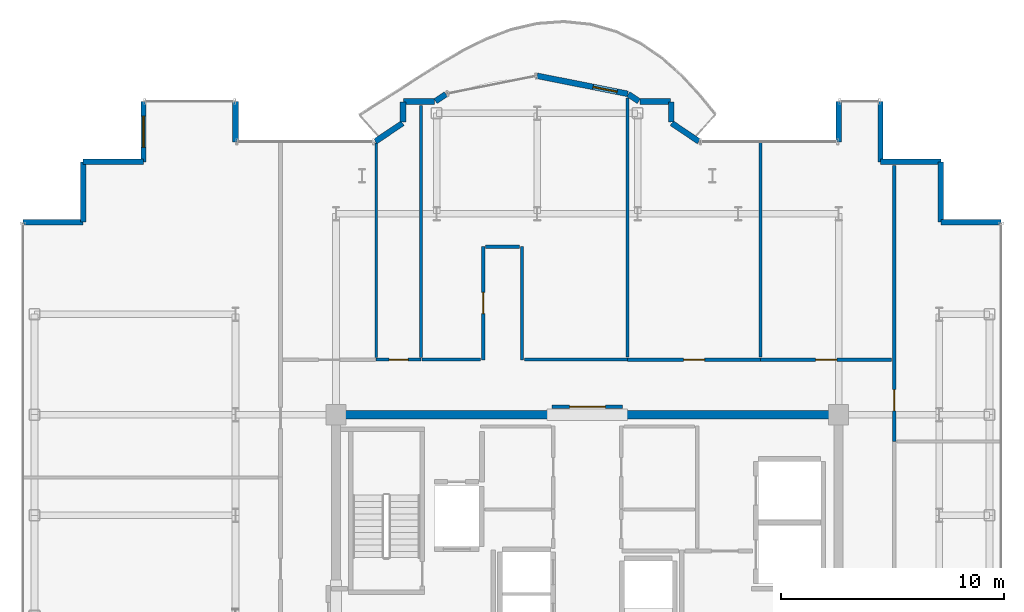
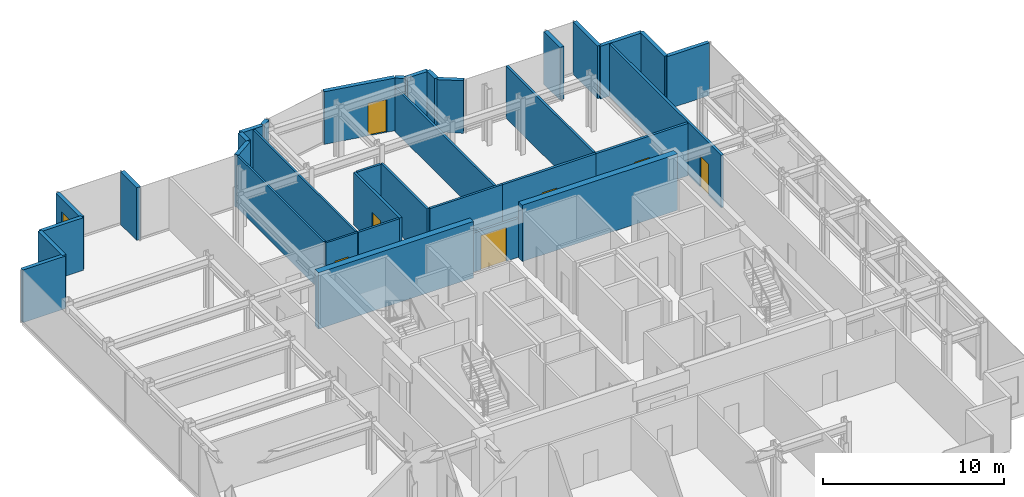
# One storey, part 16 of 18: 35 walls, 7 doors, 1 window, 8 openings.
"""IFC4 building model written with IfcOpenShell, lengths in metres."""

from ifc_helpers import new_model, si_unit, direction, frame, frame_2d, origin, place, context, subcontext, project, spatial, rectangle, extrude, source, transform, mapped, material, layer, layer_set, type_object, element, fill, save


model = new_model("IFC4")

# Units and contexts
model_context = context("Model", 3, precision=1e-05, world=origin(), true_north=direction((0.0, 1.0)))
body_context = subcontext(model_context, "Body", "Model", "MODEL_VIEW")
ifc_project = project(units=[si_unit("LENGTHUNIT", "METRE"), si_unit("AREAUNIT", "SQUARE_METRE"), si_unit("VOLUMEUNIT", "CUBIC_METRE"), si_unit("PLANEANGLEUNIT", "RADIAN"), si_unit("MASSUNIT", "GRAM", prefix="KILO")], contexts=[model_context])

# Site, building, storey
site_placement = place(None, origin())
site = spatial("IfcSite", under=ifc_project, at=site_placement, CompositionType="ELEMENT")
building_placement = place(site_placement, origin())
building = spatial("IfcBuilding", under=site, at=building_placement, Name="Nefas-Gora Pilgrimage Tower", CompositionType="ELEMENT")
storey_placement = place(building_placement, frame((0.0, 0.0, 330.0)))
storey = spatial("IfcBuildingStorey", under=building, at=storey_placement, Name="L83", CompositionType="ELEMENT", Elevation=330.0)

# Walls
ifc_material_1 = material(Name="Concrete C50/60", Category="concrete")
ifc_layer_1 = layer(ifc_material_1, 0.39990234375)
ifc_layer_set_1 = layer_set([ifc_layer_1], Name="Concrete C50/60")
wall_type_1 = type_object("IfcWallType", Name="SW-CORE-400", PredefinedType="SHEAR", material=ifc_layer_set_1)
shared_shape_1 = source(origin(), body_context, "Body", "SweptSolid", [
    extrude(rectangle(XDim=9.89990234375, YDim=0.39990234375, at=frame_2d((4.949951171875, 0.0))), origin(), (0.0, 0.0, 1.0), 3.800048828125),
])
for number, where, z_axis, x_axis, name in (
    (1, (-11.449951171875, 9.0, 0.0), (0.0, 0.0, 1.0), (1.0, 0.0, 0.0), "L83 Core Shear Wall N-West"),
    (2, (1.550048828125, 9.0, 0.0), (0.0, 0.0, 1.0), (1.0, 0.0, 0.0), "L83 Core Shear Wall N-East"),
):
    element("IfcWall", number, at=place(storey_placement, frame(where, z_axis=z_axis, x_axis=x_axis)), inside=storey, type_object=wall_type_1, Name=name, PredefinedType="SHEAR", context=body_context, shape_type="MappedRepresentation", body=[
        mapped(shared_shape_1, transform((0.0, 0.0, 0.0), x_axis=(1.0, 0.0, 0.0), y_axis=(0.0, 1.0, 0.0), z_axis=(0.0, 0.0, 1.0), scale=1.0)),
    ])
ifc_material_2 = material(Name="Precast concrete C40/50", Category="concrete")
ifc_layer_2 = layer(ifc_material_2, 0.260009765625)
ifc_layer_set_2 = layer_set([ifc_layer_2], Name="Precast concrete C40/50")
wall_type_2 = type_object("IfcWallType", Name="EW-PORTAL-260", PredefinedType="SOLIDWALL", material=ifc_layer_set_2)
shared_shape_2 = source(origin(), body_context, "Body", "SweptSolid", [
    extrude(rectangle(XDim=1.800048828125, YDim=0.260009765625, at=frame_2d((0.89990234375, 0.0))), origin(), (0.0, 0.0, 1.0), 3.550048828125),
])
for number, where, z_axis, x_axis, name in (
    (3, (11.25, 23.02001953125, 0.0), (0.0, 0.0, 1.0), (0.0, -1.0, 0.0), "L83 Lobe Shoulder Precast Spandrel Pier 6"),
    (4, (-15.75, 21.219970703125, 0.0), (0.0, 0.0, 1.0), (0.0, 1.0, 0.0), "L83 Lobe Shoulder Precast Spandrel Pier 16"),
):
    element("IfcWall", number, at=place(storey_placement, frame(where, z_axis=z_axis, x_axis=x_axis)), inside=storey, type_object=wall_type_2, Name=name, PredefinedType="SOLIDWALL", context=body_context, shape_type="MappedRepresentation", body=[
        mapped(shared_shape_2, transform((0.0, 0.0, 0.0), x_axis=(1.0, 0.0, 0.0), y_axis=(0.0, 1.0, 0.0), z_axis=(0.0, 0.0, 1.0), scale=1.0)),
    ])
ifc_material_3 = material(Name="Precast concrete C45/55", Category="concrete")
ifc_layer_3 = layer(ifc_material_3, 0.239990234375)
ifc_layer_set_3 = layer_set([ifc_layer_3], Name="Precast concrete C45/55")
wall_type_3 = type_object("IfcWallType", Name="EW-SERR-240", PredefinedType="SHEAR", material=ifc_layer_set_3)
shared_shape_3 = source(origin(), body_context, "Body", "SweptSolid", [
    extrude(rectangle(XDim=2.699951171875, YDim=0.239990234375, at=frame_2d((1.35009765625, 0.0))), origin(), (0.0, 0.0, 1.0), 3.550048828125),
])
for number, where, z_axis, x_axis, name in (
    (5, (18.52001953125, 17.6201171875, 0.0), (0.0, 0.0, 1.0), (-1.0, 0.0, 0.0), "L83 Serrated Corner Shear Pier Wall 2"),
    (6, (15.820068359375, 17.6201171875, 0.0), (0.0, 0.0, 1.0), (0.0, 1.0, 0.0), "L83 Serrated Corner Shear Pier Wall 3"),
    (7, (15.820068359375, 20.320068359375, 0.0), (0.0, 0.0, 1.0), (-1.0, 0.0, 0.0), "L83 Serrated Corner Shear Pier Wall 4"),
    (8, (13.1201171875, 20.320068359375, 0.0), (0.0, 0.0, 1.0), (0.0, 1.0, 0.0), "L83 Serrated Corner Shear Pier Wall 5"),
):
    element("IfcWall", number, at=place(storey_placement, frame(where, z_axis=z_axis, x_axis=x_axis)), inside=storey, type_object=wall_type_3, Name=name, PredefinedType="SHEAR", context=body_context, shape_type="MappedRepresentation", body=[
        mapped(shared_shape_3, transform((0.0, 0.0, 0.0), x_axis=(1.0, 0.0, 0.0), y_axis=(0.0, 1.0, 0.0), z_axis=(0.0, 0.0, 1.0), scale=1.0)),
    ])

# Wall, opening, window
wall_1_placement = place(storey_placement, frame((-19.8701171875, 23.02001953125, 0.0), z_axis=(0.0, 0.0, 1.0), x_axis=(0.0, -1.0, 0.0)))
wall_1 = element("IfcWall", 9, at=wall_1_placement, inside=storey, type_object=wall_type_3, Name="L83 Serrated Corner Shear Pier Wall 17", PredefinedType="SHEAR", context=body_context, shape_type="MappedRepresentation", body=[
    mapped(shared_shape_3, transform((0.0, 0.0, 0.0), x_axis=(1.0, 0.0, 0.0), y_axis=(0.0, 1.0, 0.0), z_axis=(0.0, 0.0, 1.0), scale=1.0)),
])
opening_1_placement = place(wall_1_placement, frame((0.64990234375, 0.0, 0.85009765625)))
opening_1 = element("IfcOpeningElement", 10, at=opening_1_placement, cuts=wall_1, Name="Opening W-V2", PredefinedType="OPENING", context=body_context, shape_type="SweptSolid", body=[
    extrude(rectangle(XDim=1.39990234375, YDim=1.800048828125, at=frame_2d((0.699951171875, 0.89990234375))), frame((0.0, 0.1298828125, 0.0), z_axis=(0.0, -1.0, 0.0), x_axis=(1.0, 0.0, 0.0)), (0.0, 0.0, 1.0), 0.260009765625),
])
ifc_material_4 = material(Name="Dark ceramic-fritted operable aluminium-glass window", Category="aluminium")
window_type = type_object("IfcWindowType", Name="WIN-VENT-1400x1800", PartitioningType="SINGLE_PANEL", PredefinedType="WINDOW", material=ifc_material_4)
shared_shape_4 = source(origin(), body_context, "Body", "SweptSolid", [
    extrude(rectangle(XDim=1.39990234375, YDim=1.800048828125, at=frame_2d((0.699951171875, 0.89990234375))), frame((0.0, 0.030029296875, 0.0), z_axis=(0.0, -1.0, 0.0), x_axis=(1.0, 0.0, 0.0)), (0.0, 0.0, 1.0), 0.06005859375),
])
window_placement = place(opening_1_placement, origin())
window = element("IfcWindow", 11, at=window_placement, inside=storey, type_object=window_type, Name="L83 Operable Parallel-Outswing Window 17", OverallHeight=1.800048828125, OverallWidth=1.39990234375, PartitioningType="SINGLE_PANEL", PredefinedType="WINDOW", context=body_context, shape_type="MappedRepresentation", body=[
    mapped(shared_shape_4, transform((0.0, 0.0, 0.0), x_axis=(1.0, 0.0, 0.0), y_axis=(0.0, 1.0, 0.0), z_axis=(0.0, 0.0, 1.0), scale=1.0)),
])
fill(opening_1, window)

# Walls
for number, where, z_axis, x_axis, name in (
    (12, (-19.8701171875, 20.320068359375, 0.0), (0.0, 0.0, 1.0), (-1.0, 0.0, 0.0), "L83 Serrated Corner Shear Pier Wall 18"),
    (13, (-22.570068359375, 20.320068359375, 0.0), (0.0, 0.0, 1.0), (0.0, -1.0, 0.0), "L83 Serrated Corner Shear Pier Wall 19"),
    (14, (-22.570068359375, 17.6201171875, 0.0), (0.0, 0.0, 1.0), (-1.0, 0.0, 0.0), "L83 Serrated Corner Shear Pier Wall 20"),
):
    element("IfcWall", number, at=place(storey_placement, frame(where, z_axis=z_axis, x_axis=x_axis)), inside=storey, type_object=wall_type_3, Name=name, PredefinedType="SHEAR", context=body_context, shape_type="MappedRepresentation", body=[
        mapped(shared_shape_3, transform((0.0, 0.0, 0.0), x_axis=(1.0, 0.0, 0.0), y_axis=(0.0, 1.0, 0.0), z_axis=(0.0, 0.0, 1.0), scale=1.0)),
    ])
shared_shape_5 = source(origin(), body_context, "Body", "SweptSolid", [
    extrude(rectangle(XDim=1.468994140625, YDim=0.260009765625, at=frame_2d((0.734375, 0.0))), origin(), (0.0, 0.0, 1.0), 3.550048828125),
])
for number, where, z_axis, x_axis, name in (
    (15, (4.99462890625, 21.235595703125, 0.0), (0.0, 0.0, 1.0), (-0.831461760506, 0.555581983884, 0.0), "L83 Lobe Shoulder Precast Spandrel Pier 7"),
    (16, (-8.273193359375, 22.0517578125, 0.0), (0.0, 0.0, 1.0), (-0.831461760506, -0.555581983884, 0.0), "L83 Lobe Shoulder Precast Spandrel Pier 15"),
):
    element("IfcWall", number, at=place(storey_placement, frame(where, z_axis=z_axis, x_axis=x_axis)), inside=storey, type_object=wall_type_2, Name=name, PredefinedType="SOLIDWALL", context=body_context, shape_type="MappedRepresentation", body=[
        mapped(shared_shape_5, transform((0.0, 0.0, 0.0), x_axis=(1.0, 0.0, 0.0), y_axis=(0.0, 1.0, 0.0), z_axis=(0.0, 0.0, 1.0), scale=1.0)),
    ])
shared_shape_6 = source(origin(), body_context, "Body", "SweptSolid", [
    extrude(rectangle(XDim=0.896728515625, YDim=0.260009765625, at=frame_2d((0.4482421875, 0.0))), origin(), (0.0, 0.0, 1.0), 3.550048828125),
])
for number, where, z_axis, x_axis, name in (
    (17, (3.75, 22.09521484375, 0.0), (0.0, 0.0, 1.0), (0.0, 1.0, 0.0), "L83 Lobe Shoulder Precast Spandrel Pier 8"),
    (18, (-8.25, 22.991943359375, 0.0), (0.0, 0.0, 1.0), (0.0, -1.0, 0.0), "L83 Lobe Shoulder Precast Spandrel Pier 14"),
):
    element("IfcWall", number, at=place(storey_placement, frame(where, z_axis=z_axis, x_axis=x_axis)), inside=storey, type_object=wall_type_2, Name=name, PredefinedType="SOLIDWALL", context=body_context, shape_type="MappedRepresentation", body=[
        mapped(shared_shape_6, transform((0.0, 0.0, 0.0), x_axis=(1.0, 0.0, 0.0), y_axis=(0.0, 1.0, 0.0), z_axis=(0.0, 0.0, 1.0), scale=1.0)),
    ])
shared_shape_7 = source(origin(), body_context, "Body", "SweptSolid", [
    extrude(rectangle(XDim=1.369873046875, YDim=0.260009765625, at=frame_2d((0.68505859375, 0.0))), origin(), (0.0, 0.0, 1.0), 3.550048828125),
])
for number, where, z_axis, x_axis, name in (
    (19, (3.721923828125, 23.02001953125, 0.0), (0.0, 0.0, 1.0), (-1.0, 0.0, 0.0), "L83 Lobe Shoulder Precast Spandrel Pier 9"),
    (20, (-6.85205078125, 23.02001953125, 0.0), (0.0, 0.0, 1.0), (-1.0, 0.0, 0.0), "L83 Lobe Shoulder Precast Spandrel Pier 13"),
):
    element("IfcWall", number, at=place(storey_placement, frame(where, z_axis=z_axis, x_axis=x_axis)), inside=storey, type_object=wall_type_2, Name=name, PredefinedType="SOLIDWALL", context=body_context, shape_type="MappedRepresentation", body=[
        mapped(shared_shape_7, transform((0.0, 0.0, 0.0), x_axis=(1.0, 0.0, 0.0), y_axis=(0.0, 1.0, 0.0), z_axis=(0.0, 0.0, 1.0), scale=1.0)),
    ])
shared_shape_8 = source(origin(), body_context, "Body", "SweptSolid", [
    extrude(rectangle(XDim=0.5654296875, YDim=0.260009765625, at=frame_2d((0.28271484375, 0.0))), origin(), (0.0, 0.0, 1.0), 3.550048828125),
])
for number, where, z_axis, x_axis, name in (
    (21, (2.30078125, 23.03564453125, 0.0), (0.0, 0.0, 1.0), (-0.831651492666, 0.555297933317, 0.0), "L83 Lobe Shoulder Precast Spandrel Pier 10"),
    (22, (-6.33056640625, 23.349609375, 0.0), (0.0, 0.0, 1.0), (-0.831651492666, -0.555297933317, 0.0), "L83 Lobe Shoulder Precast Spandrel Pier 12"),
):
    element("IfcWall", number, at=place(storey_placement, frame(where, z_axis=z_axis, x_axis=x_axis)), inside=storey, type_object=wall_type_2, Name=name, PredefinedType="SOLIDWALL", context=body_context, shape_type="MappedRepresentation", body=[
        mapped(shared_shape_8, transform((0.0, 0.0, 0.0), x_axis=(1.0, 0.0, 0.0), y_axis=(0.0, 1.0, 0.0), z_axis=(0.0, 0.0, 1.0), scale=1.0)),
    ])

# Wall, opening, door
shared_shape_9 = source(origin(), body_context, "Body", "SweptSolid", [
    extrude(rectangle(XDim=4.136962890625, YDim=0.260009765625, at=frame_2d((2.068359375, 0.0))), origin(), (0.0, 0.0, 1.0), 3.550048828125),
])
wall_2_placement = place(storey_placement, frame((1.807373046875, 23.365234375, 0.0), z_axis=(0.0, 0.0, 1.0), x_axis=(-0.980782170794, 0.195105954428, 0.0)))
wall_2 = element("IfcWall", 23, at=wall_2_placement, inside=storey, type_object=wall_type_2, Name="L83 Insulated Terrace Portal Wall 11", PredefinedType="SOLIDWALL", context=body_context, shape_type="MappedRepresentation", body=[
    mapped(shared_shape_9, transform((0.0, 0.0, 0.0), x_axis=(1.0, 0.0, 0.0), y_axis=(0.0, 1.0, 0.0), z_axis=(0.0, 0.0, 1.0), scale=1.0)),
])
opening_2_placement = place(wall_2_placement, frame((0.48779296875, 0.0, 0.0)))
opening_2 = element("IfcOpeningElement", 24, at=opening_2_placement, cuts=wall_2, Name="Opening ED-B1", PredefinedType="OPENING", context=body_context, shape_type="SweptSolid", body=[
    extrude(rectangle(XDim=1.10009765625, YDim=2.199951171875, at=frame_2d((0.550048828125, 1.10009765625))), frame((0.0, 0.139892578125, 0.0), z_axis=(0.0, -1.0, 0.0), x_axis=(1.0, 0.0, 0.0)), (0.0, 0.0, 1.0), 0.280029296875),
])
ifc_material_5 = material(Name="Thermally broken glazed aluminium balcony door", Category="aluminium")
door_type_1 = type_object("IfcDoorType", Name="DR-EXT-BAL-1100", OperationType="NOTDEFINED", PredefinedType="DOOR", material=ifc_material_5)
shared_shape_10 = source(origin(), body_context, "Body", "SweptSolid", [
    extrude(rectangle(XDim=1.10009765625, YDim=2.199951171875, at=frame_2d((0.550048828125, 1.10009765625))), frame((0.0, 0.02490234375, 0.0), z_axis=(0.0, -1.0, 0.0), x_axis=(1.0, 0.0, 0.0)), (0.0, 0.0, 1.0), 0.050048828125),
])
door_1_placement = place(opening_2_placement, origin())
door_1 = element("IfcDoor", 25, at=door_1_placement, inside=storey, type_object=door_type_1, Name="L83 Exterior Door (L83 N Lobe Wave Balcony)", OperationType="SINGLE_SWING_RIGHT", OverallHeight=2.199951171875, OverallWidth=1.10009765625, PredefinedType="DOOR", context=body_context, shape_type="MappedRepresentation", body=[
    mapped(shared_shape_10, transform((0.0, 0.0, 0.0), x_axis=(1.0, 0.0, 0.0), y_axis=(0.0, 1.0, 0.0), z_axis=(0.0, 0.0, 1.0), scale=1.0)),
])
fill(opening_2, door_1)

ifc_material_6 = material(Name="Moisture-resistant fire-rated gypsum partition")
ifc_layer_4 = layer(ifc_material_6, 0.1201171875)
ifc_layer_set_4 = layer_set([ifc_layer_4], Name="Moisture-resistant fire-rated gypsum partition")
wall_type_4 = type_object("IfcWallType", Name="IW-WET-120", PredefinedType="PLUMBINGWALL", material=ifc_layer_set_4)
shared_shape_11 = source(origin(), body_context, "Body", "SweptSolid", [
    extrude(rectangle(XDim=2.02001953125, YDim=0.1201171875, at=frame_2d((1.010009765625, 0.0))), origin(), (0.0, 0.0, 1.0), 3.534912109375),
])
wall_3_placement = place(storey_placement, frame((-9.4599609375, 11.469970703125, 0.0), z_axis=(0.0, 0.0, 1.0), x_axis=(1.0, 0.0, 0.0)))
wall_3 = element("IfcWall", 26, at=wall_3_placement, inside=storey, type_object=wall_type_4, Name="L83 Accessible Unisex WC Partition Wall 36", PredefinedType="PLUMBINGWALL", context=body_context, shape_type="MappedRepresentation", body=[
    mapped(shared_shape_11, transform((0.0, 0.0, 0.0), x_axis=(1.0, 0.0, 0.0), y_axis=(0.0, 1.0, 0.0), z_axis=(0.0, 0.0, 1.0), scale=1.0)),
])
opening_3_placement = place(wall_3_placement, frame((0.5849609375, 0.0, 0.0)))
opening_3 = element("IfcOpeningElement", 27, at=opening_3_placement, cuts=wall_3, Name="Opening ID-BT1", PredefinedType="OPENING", context=body_context, shape_type="SweptSolid", body=[
    extrude(rectangle(XDim=0.85009765625, YDim=2.10009765625, at=frame_2d((0.425048828125, 1.050048828125))), frame((0.0, 0.070068359375, 0.0), z_axis=(0.0, -1.0, 0.0), x_axis=(1.0, 0.0, 0.0)), (0.0, 0.0, 1.0), 0.14013671875),
])
ifc_material_7 = material(Name="Moisture-resistant fire-rated timber door", Category="wood")
door_type_2 = type_object("IfcDoorType", Name="DR-INT-BATH-850", OperationType="NOTDEFINED", PredefinedType="DOOR", material=ifc_material_7)
shared_shape_12 = source(origin(), body_context, "Body", "SweptSolid", [
    extrude(rectangle(XDim=0.85009765625, YDim=2.10009765625, at=frame_2d((0.425048828125, 1.050048828125))), frame((0.0, 0.02490234375, 0.0), z_axis=(0.0, -1.0, 0.0), x_axis=(1.0, 0.0, 0.0)), (0.0, 0.0, 1.0), 0.050048828125),
])
door_2_placement = place(opening_3_placement, origin())
door_2 = element("IfcDoor", 28, at=door_2_placement, inside=storey, type_object=door_type_2, Name="L83 Accessible Unisex WC Door 15", OperationType="SINGLE_SWING_RIGHT", OverallHeight=2.10009765625, OverallWidth=0.85009765625, PredefinedType="DOOR", context=body_context, shape_type="MappedRepresentation", body=[
    mapped(shared_shape_12, transform((0.0, 0.0, 0.0), x_axis=(1.0, 0.0, 0.0), y_axis=(0.0, 1.0, 0.0), z_axis=(0.0, 0.0, 1.0), scale=1.0)),
])
fill(opening_3, door_2)

# Walls
shared_shape_13 = source(origin(), body_context, "Body", "SweptSolid", [
    extrude(rectangle(XDim=11.280029296875, YDim=0.1201171875, at=frame_2d((5.64013671875, 0.0))), origin(), (0.0, 0.0, 1.0), 3.534912109375),
])
wall_4_placement = place(storey_placement, frame((-7.449951171875, 11.570068359375, 0.0), z_axis=(0.0, 0.0, 1.0), x_axis=(0.0, 1.0, 0.0)))
element("IfcWall", 29, at=wall_4_placement, inside=storey, type_object=wall_type_4, Name="L83 Accessible Unisex WC Partition Wall 37", PredefinedType="PLUMBINGWALL", context=body_context, shape_type="MappedRepresentation", body=[
    mapped(shared_shape_13, transform((0.0, 0.0, 0.0), x_axis=(1.0, 0.0, 0.0), y_axis=(0.0, 1.0, 0.0), z_axis=(0.0, 0.0, 1.0), scale=1.0)),
])
shared_shape_14 = source(origin(), body_context, "Body", "SweptSolid", [
    extrude(rectangle(XDim=9.586669921875, YDim=0.1201171875, at=frame_2d((4.79345703125, 0.0))), origin(), (0.0, 0.0, 1.0), 3.534912109375),
])
wall_5_placement = place(storey_placement, frame((-9.449951171875, 11.570068359375, 0.0), z_axis=(0.0, 0.0, 1.0), x_axis=(0.0, 1.0, 0.0)))
element("IfcWall", 30, at=wall_5_placement, inside=storey, type_object=wall_type_4, Name="L83 Accessible Unisex WC Partition Wall 38", PredefinedType="PLUMBINGWALL", context=body_context, shape_type="MappedRepresentation", body=[
    mapped(shared_shape_14, transform((0.0, 0.0, 0.0), x_axis=(1.0, 0.0, 0.0), y_axis=(0.0, 1.0, 0.0), z_axis=(0.0, 0.0, 1.0), scale=1.0)),
])
ifc_material_8 = material(Name="Gypsum twin-stud partition")
ifc_layer_5 = layer(ifc_material_8, 0.139892578125)
ifc_layer_set_5 = layer_set([ifc_layer_5], Name="Gypsum twin-stud partition")
wall_type_5 = type_object("IfcWallType", Name="IW-UNIT-140", PredefinedType="PARTITIONING", material=ifc_layer_set_5)
shared_shape_15 = source(origin(), body_context, "Body", "SweptSolid", [
    extrude(rectangle(XDim=9.64990234375, YDim=0.139892578125, at=frame_2d((4.824951171875, 0.0))), origin(), (0.0, 0.0, 1.0), 3.534912109375),
])
wall_6_placement = place(storey_placement, frame((7.75, 11.590087890625, 0.0), z_axis=(0.0, 0.0, 1.0), x_axis=(0.0, 1.0, 0.0)))
element("IfcWall", 31, at=wall_6_placement, inside=storey, type_object=wall_type_5, Name="L83 Pilgrim Contemplative Lounge Partition Wall 59", PredefinedType="PARTITIONING", context=body_context, shape_type="MappedRepresentation", body=[
    mapped(shared_shape_15, transform((0.0, 0.0, 0.0), x_axis=(1.0, 0.0, 0.0), y_axis=(0.0, 1.0, 0.0), z_axis=(0.0, 0.0, 1.0), scale=1.0)),
])
shared_shape_16 = source(origin(), body_context, "Body", "SweptSolid", [
    extrude(rectangle(XDim=1.510009765625, YDim=0.139892578125, at=frame_2d((0.7548828125, 0.0))), origin(), (0.0, 0.0, 1.0), 3.534912109375),
])
wall_7_placement = place(storey_placement, frame((-4.550048828125, 16.52001953125, 0.0), z_axis=(0.0, 0.0, 1.0), x_axis=(1.0, 0.0, 0.0)))
element("IfcWall", 32, at=wall_7_placement, inside=storey, type_object=wall_type_5, Name="L83 Pilgrim Refectory Lounge Partition Wall 56", PredefinedType="PARTITIONING", context=body_context, shape_type="MappedRepresentation", body=[
    mapped(shared_shape_16, transform((0.0, 0.0, 0.0), x_axis=(1.0, 0.0, 0.0), y_axis=(0.0, 1.0, 0.0), z_axis=(0.0, 0.0, 1.0), scale=1.0)),
])

# Wall, opening, door
ifc_material_9 = material(Name="Gypsum acoustic stud partition")
ifc_layer_6 = layer(ifc_material_9, 0.159912109375)
ifc_layer_set_6 = layer_set([ifc_layer_6], Name="Gypsum acoustic stud partition")
wall_type_6 = type_object("IfcWallType", Name="IW-CORR-160", PredefinedType="PARTITIONING", material=ifc_layer_set_6)
shared_shape_17 = source(origin(), body_context, "Body", "SweptSolid", [
    extrude(rectangle(XDim=3.16015625, YDim=0.159912109375, at=frame_2d((1.580078125, 0.0))), origin(), (0.0, 0.0, 1.0), 2.625),
])
wall_8_placement = place(storey_placement, frame((-1.580078125, 9.35009765625, 0.0), z_axis=(0.0, 0.0, 1.0), x_axis=(1.0, 0.0, 0.0)))
wall_8 = element("IfcWall", 33, at=wall_8_placement, inside=storey, type_object=wall_type_6, Name="L83 Central Lift Lobby North Portal Wall 16", PredefinedType="PARTITIONING", context=body_context, shape_type="MappedRepresentation", body=[
    mapped(shared_shape_17, transform((0.0, 0.0, 0.0), x_axis=(1.0, 0.0, 0.0), y_axis=(0.0, 1.0, 0.0), z_axis=(0.0, 0.0, 1.0), scale=1.0)),
])
opening_4_placement = place(wall_8_placement, frame((0.780029296875, 0.0, 0.0)))
opening_4 = element("IfcOpeningElement", 34, at=opening_4_placement, cuts=wall_8, Name="Opening ID-HL1", PredefinedType="OPENING", context=body_context, shape_type="SweptSolid", body=[
    extrude(rectangle(XDim=1.60009765625, YDim=2.300048828125, at=frame_2d((0.800048828125, 1.14990234375))), frame((0.0, 0.08984375, 0.0), z_axis=(0.0, -1.0, 0.0), x_axis=(1.0, 0.0, 0.0)), (0.0, 0.0, 1.0), 0.179931640625),
])
ifc_material_10 = material(Name="Double acoustic timber assembly hall door", Category="wood")
door_type_3 = type_object("IfcDoorType", Name="DR-INT-HALL-1600", OperationType="DOUBLE_DOOR_SINGLE_SWING", PredefinedType="DOOR", material=ifc_material_10)
shared_shape_18 = source(origin(), body_context, "Body", "SweptSolid", [
    extrude(rectangle(XDim=1.60009765625, YDim=2.300048828125, at=frame_2d((0.800048828125, 1.14990234375))), frame((0.0, 0.02490234375, 0.0), z_axis=(0.0, -1.0, 0.0), x_axis=(1.0, 0.0, 0.0)), (0.0, 0.0, 1.0), 0.050048828125),
])
door_3_placement = place(opening_4_placement, origin())
door_3 = element("IfcDoor", 35, at=door_3_placement, inside=storey, type_object=door_type_3, Name="L83 Central Lift Lobby North Portal Door 6", OperationType="DOUBLE_DOOR_SINGLE_SWING", OverallHeight=2.300048828125, OverallWidth=1.60009765625, PredefinedType="DOOR", context=body_context, shape_type="MappedRepresentation", body=[
    mapped(shared_shape_18, transform((0.0, 0.0, 0.0), x_axis=(1.0, 0.0, 0.0), y_axis=(0.0, 1.0, 0.0), z_axis=(0.0, 0.0, 1.0), scale=1.0)),
])
fill(opening_4, door_3)

shared_shape_19 = source(origin(), body_context, "Body", "SweptSolid", [
    extrude(rectangle(XDim=5.080078125, YDim=0.159912109375, at=frame_2d((2.5400390625, 0.0))), origin(), (0.0, 0.0, 1.0), 3.534912109375),
])
wall_9_placement = place(storey_placement, frame((-4.669921875, 11.4599609375, 0.0), z_axis=(0.0, 0.0, 1.0), x_axis=(0.0, 1.0, 0.0)))
wall_9 = element("IfcWall", 36, at=wall_9_placement, inside=storey, type_object=wall_type_6, Name="L83 Pilgrim Refectory Lounge Partition Wall 52", PredefinedType="PARTITIONING", context=body_context, shape_type="MappedRepresentation", body=[
    mapped(shared_shape_19, transform((0.0, 0.0, 0.0), x_axis=(1.0, 0.0, 0.0), y_axis=(0.0, 1.0, 0.0), z_axis=(0.0, 0.0, 1.0), scale=1.0)),
])
opening_5_placement = place(wall_9_placement, frame((2.06494140625, 0.0, 0.0)))
opening_5 = element("IfcOpeningElement", 37, at=opening_5_placement, cuts=wall_9, Name="Opening ID-GR1", PredefinedType="OPENING", context=body_context, shape_type="SweptSolid", body=[
    extrude(rectangle(XDim=0.949951171875, YDim=2.10009765625, at=frame_2d((0.47509765625, 1.050048828125))), frame((0.0, 0.08984375, 0.0), z_axis=(0.0, -1.0, 0.0), x_axis=(1.0, 0.0, 0.0)), (0.0, 0.0, 1.0), 0.179931640625),
])
ifc_material_11 = material(Name="Solid core oak fire-rated guest entrance door")
door_type_4 = type_object("IfcDoorType", Name="DR-INT-GUEST-950", OperationType="NOTDEFINED", PredefinedType="DOOR", material=ifc_material_11)
shared_shape_20 = source(origin(), body_context, "Body", "SweptSolid", [
    extrude(rectangle(XDim=0.949951171875, YDim=2.10009765625, at=frame_2d((0.47509765625, 1.050048828125))), frame((0.0, 0.02490234375, 0.0), z_axis=(0.0, -1.0, 0.0), x_axis=(1.0, 0.0, 0.0)), (0.0, 0.0, 1.0), 0.050048828125),
])
door_4_placement = place(opening_5_placement, origin())
door_4 = element("IfcDoor", 38, at=door_4_placement, inside=storey, type_object=door_type_4, Name="L83 Pilgrim Refectory Lounge Door 24", OperationType="SINGLE_SWING_LEFT", OverallHeight=2.10009765625, OverallWidth=0.949951171875, PredefinedType="DOOR", context=body_context, shape_type="MappedRepresentation", body=[
    mapped(shared_shape_20, transform((0.0, 0.0, 0.0), x_axis=(1.0, 0.0, 0.0), y_axis=(0.0, 1.0, 0.0), z_axis=(0.0, 0.0, 1.0), scale=1.0)),
])
fill(opening_5, door_4)

# Walls
shared_shape_21 = source(origin(), body_context, "Body", "SweptSolid", [
    extrude(rectangle(XDim=5.080078125, YDim=0.139892578125, at=frame_2d((2.5400390625, 0.0))), origin(), (0.0, 0.0, 1.0), 3.534912109375),
])
wall_10_placement = place(storey_placement, frame((-2.929931640625, 11.4599609375, 0.0), z_axis=(0.0, 0.0, 1.0), x_axis=(0.0, 1.0, 0.0)))
element("IfcWall", 39, at=wall_10_placement, inside=storey, type_object=wall_type_5, Name="L83 Pilgrim Refectory Lounge Partition Wall 53", PredefinedType="PARTITIONING", context=body_context, shape_type="MappedRepresentation", body=[
    mapped(shared_shape_21, transform((0.0, 0.0, 0.0), x_axis=(1.0, 0.0, 0.0), y_axis=(0.0, 1.0, 0.0), z_axis=(0.0, 0.0, 1.0), scale=1.0)),
])
shared_shape_22 = source(origin(), body_context, "Body", "SweptSolid", [
    extrude(rectangle(XDim=4.625, YDim=0.139892578125, at=frame_2d((2.3125, 0.0))), origin(), (0.0, 0.0, 1.0), 3.534912109375),
])
wall_11_placement = place(storey_placement, frame((-2.820068359375, 11.469970703125, 0.0), z_axis=(0.0, 0.0, 1.0), x_axis=(1.0, 0.0, 0.0)))
element("IfcWall", 40, at=wall_11_placement, inside=storey, type_object=wall_type_5, Name="L83 Pilgrim Refectory Lounge Partition Wall 54", PredefinedType="PARTITIONING", context=body_context, shape_type="MappedRepresentation", body=[
    mapped(shared_shape_22, transform((0.0, 0.0, 0.0), x_axis=(1.0, 0.0, 0.0), y_axis=(0.0, 1.0, 0.0), z_axis=(0.0, 0.0, 1.0), scale=1.0)),
])
shared_shape_23 = source(origin(), body_context, "Body", "SweptSolid", [
    extrude(rectangle(XDim=2.614990234375, YDim=0.139892578125, at=frame_2d((1.3076171875, 0.0))), origin(), (0.0, 0.0, 1.0), 3.534912109375),
])
wall_12_placement = place(storey_placement, frame((-7.405029296875, 11.469970703125, 0.0), z_axis=(0.0, 0.0, 1.0), x_axis=(1.0, 0.0, 0.0)))
element("IfcWall", 41, at=wall_12_placement, inside=storey, type_object=wall_type_5, Name="L83 Pilgrim Refectory Lounge Partition Wall 55", PredefinedType="PARTITIONING", context=body_context, shape_type="MappedRepresentation", body=[
    mapped(shared_shape_23, transform((0.0, 0.0, 0.0), x_axis=(1.0, 0.0, 0.0), y_axis=(0.0, 1.0, 0.0), z_axis=(0.0, 0.0, 1.0), scale=1.0)),
])
shared_shape_24 = source(origin(), body_context, "Body", "SweptSolid", [
    extrude(rectangle(XDim=11.59130859375, YDim=0.139892578125, at=frame_2d((5.795654296875, 0.0))), origin(), (0.0, 0.0, 1.0), 2.97509765625),
])
wall_13_placement = place(storey_placement, frame((1.794921875, 11.580078125, 0.0), z_axis=(0.0, 0.0, 1.0), x_axis=(0.0, 1.0, 0.0)))
element("IfcWall", 42, at=wall_13_placement, inside=storey, type_object=wall_type_5, Name="L83 Pilgrim Refectory Lounge Partition Wall 57", PredefinedType="PARTITIONING", context=body_context, shape_type="MappedRepresentation", body=[
    mapped(shared_shape_24, transform((0.0, 0.0, 0.0), x_axis=(1.0, 0.0, 0.0), y_axis=(0.0, 1.0, 0.0), z_axis=(0.0, 0.0, 1.0), scale=1.0)),
])

# Wall, opening, door
shared_shape_25 = source(origin(), body_context, "Body", "SweptSolid", [
    extrude(rectangle(XDim=12.364990234375, YDim=0.159912109375, at=frame_2d((6.1826171875, 0.0))), origin(), (0.0, 0.0, 1.0), 3.534912109375),
])
wall_14_placement = place(storey_placement, frame((13.739990234375, 7.794921875, 0.0), z_axis=(0.0, 0.0, 1.0), x_axis=(0.0, 1.0, 0.0)))
wall_14 = element("IfcWall", 43, at=wall_14_placement, inside=storey, type_object=wall_type_6, Name="L83 Pilgrim Fellowship Seminar Room Partition Wall 50", PredefinedType="PARTITIONING", context=body_context, shape_type="MappedRepresentation", body=[
    mapped(shared_shape_25, transform((0.0, 0.0, 0.0), x_axis=(1.0, 0.0, 0.0), y_axis=(0.0, 1.0, 0.0), z_axis=(0.0, 0.0, 1.0), scale=1.0)),
])
opening_6_placement = place(wall_14_placement, frame((1.382568359375, 0.0, 0.0)))
opening_6 = element("IfcOpeningElement", 44, at=opening_6_placement, cuts=wall_14, Name="Opening ID-GR1", PredefinedType="OPENING", context=body_context, shape_type="SweptSolid", body=[
    extrude(rectangle(XDim=0.949951171875, YDim=2.10009765625, at=frame_2d((0.47509765625, 1.050048828125))), frame((0.0, 0.08984375, 0.0), z_axis=(0.0, -1.0, 0.0), x_axis=(1.0, 0.0, 0.0)), (0.0, 0.0, 1.0), 0.179931640625),
])
door_5_placement = place(opening_6_placement, origin())
door_5 = element("IfcDoor", 45, at=door_5_placement, inside=storey, type_object=door_type_4, Name="L83 Pilgrim Fellowship Seminar Room Door 22", OperationType="SINGLE_SWING_LEFT", OverallHeight=2.10009765625, OverallWidth=0.949951171875, PredefinedType="DOOR", context=body_context, shape_type="MappedRepresentation", body=[
    mapped(shared_shape_20, transform((0.0, 0.0, 0.0), x_axis=(1.0, 0.0, 0.0), y_axis=(0.0, 1.0, 0.0), z_axis=(0.0, 0.0, 1.0), scale=1.0)),
])
fill(opening_6, door_5)

shared_shape_26 = source(origin(), body_context, "Body", "SweptSolid", [
    extrude(rectangle(XDim=5.965087890625, YDim=0.159912109375, at=frame_2d((2.982421875, 0.0))), origin(), (0.0, 0.0, 1.0), 3.534912109375),
])
wall_15_placement = place(storey_placement, frame((1.794921875, 11.469970703125, 0.0), z_axis=(0.0, 0.0, 1.0), x_axis=(1.0, 0.0, 0.0)))
wall_15 = element("IfcWall", 46, at=wall_15_placement, inside=storey, type_object=wall_type_6, Name="L83 Pilgrim Contemplative Lounge Partition Wall 58", PredefinedType="PARTITIONING", context=body_context, shape_type="MappedRepresentation", body=[
    mapped(shared_shape_26, transform((0.0, 0.0, 0.0), x_axis=(1.0, 0.0, 0.0), y_axis=(0.0, 1.0, 0.0), z_axis=(0.0, 0.0, 1.0), scale=1.0)),
])
opening_7_placement = place(wall_15_placement, frame((2.507568359375, 0.0, 0.0)))
opening_7 = element("IfcOpeningElement", 47, at=opening_7_placement, cuts=wall_15, Name="Opening ID-GR1", PredefinedType="OPENING", context=body_context, shape_type="SweptSolid", body=[
    extrude(rectangle(XDim=0.949951171875, YDim=2.10009765625, at=frame_2d((0.47509765625, 1.050048828125))), frame((0.0, 0.08984375, 0.0), z_axis=(0.0, -1.0, 0.0), x_axis=(1.0, 0.0, 0.0)), (0.0, 0.0, 1.0), 0.179931640625),
])
door_6_placement = place(opening_7_placement, origin())
door_6 = element("IfcDoor", 48, at=door_6_placement, inside=storey, type_object=door_type_4, Name="L83 Pilgrim Contemplative Lounge Door 25", OperationType="SINGLE_SWING_RIGHT", OverallHeight=2.10009765625, OverallWidth=0.949951171875, PredefinedType="DOOR", context=body_context, shape_type="MappedRepresentation", body=[
    mapped(shared_shape_20, transform((0.0, 0.0, 0.0), x_axis=(1.0, 0.0, 0.0), y_axis=(0.0, 1.0, 0.0), z_axis=(0.0, 0.0, 1.0), scale=1.0)),
])
fill(opening_7, door_6)

shared_shape_27 = source(origin(), body_context, "Body", "SweptSolid", [
    extrude(rectangle(XDim=5.860107421875, YDim=0.159912109375, at=frame_2d((2.93017578125, 0.0))), origin(), (0.0, 0.0, 1.0), 3.534912109375),
])
wall_16_placement = place(storey_placement, frame((7.760009765625, 11.469970703125, 0.0), z_axis=(0.0, 0.0, 1.0), x_axis=(1.0, 0.0, 0.0)))
wall_16 = element("IfcWall", 49, at=wall_16_placement, inside=storey, type_object=wall_type_6, Name="L83 Pilgrim Contemplative Lounge Partition Wall 60", PredefinedType="PARTITIONING", context=body_context, shape_type="MappedRepresentation", body=[
    mapped(shared_shape_27, transform((0.0, 0.0, 0.0), x_axis=(1.0, 0.0, 0.0), y_axis=(0.0, 1.0, 0.0), z_axis=(0.0, 0.0, 1.0), scale=1.0)),
])
opening_8_placement = place(wall_16_placement, frame((2.455078125, 0.0, 0.0)))
opening_8 = element("IfcOpeningElement", 50, at=opening_8_placement, cuts=wall_16, Name="Opening ID-GR1", PredefinedType="OPENING", context=body_context, shape_type="SweptSolid", body=[
    extrude(rectangle(XDim=0.949951171875, YDim=2.10009765625, at=frame_2d((0.47509765625, 1.050048828125))), frame((0.0, 0.08984375, 0.0), z_axis=(0.0, -1.0, 0.0), x_axis=(1.0, 0.0, 0.0)), (0.0, 0.0, 1.0), 0.179931640625),
])
door_7_placement = place(opening_8_placement, origin())
door_7 = element("IfcDoor", 51, at=door_7_placement, inside=storey, type_object=door_type_4, Name="L83 Pilgrim Contemplative Lounge Door 26", OperationType="SINGLE_SWING_LEFT", OverallHeight=2.10009765625, OverallWidth=0.949951171875, PredefinedType="DOOR", context=body_context, shape_type="MappedRepresentation", body=[
    mapped(shared_shape_20, transform((0.0, 0.0, 0.0), x_axis=(1.0, 0.0, 0.0), y_axis=(0.0, 1.0, 0.0), z_axis=(0.0, 0.0, 1.0), scale=1.0)),
])
fill(opening_8, door_7)

save(model, "model.ifc")
